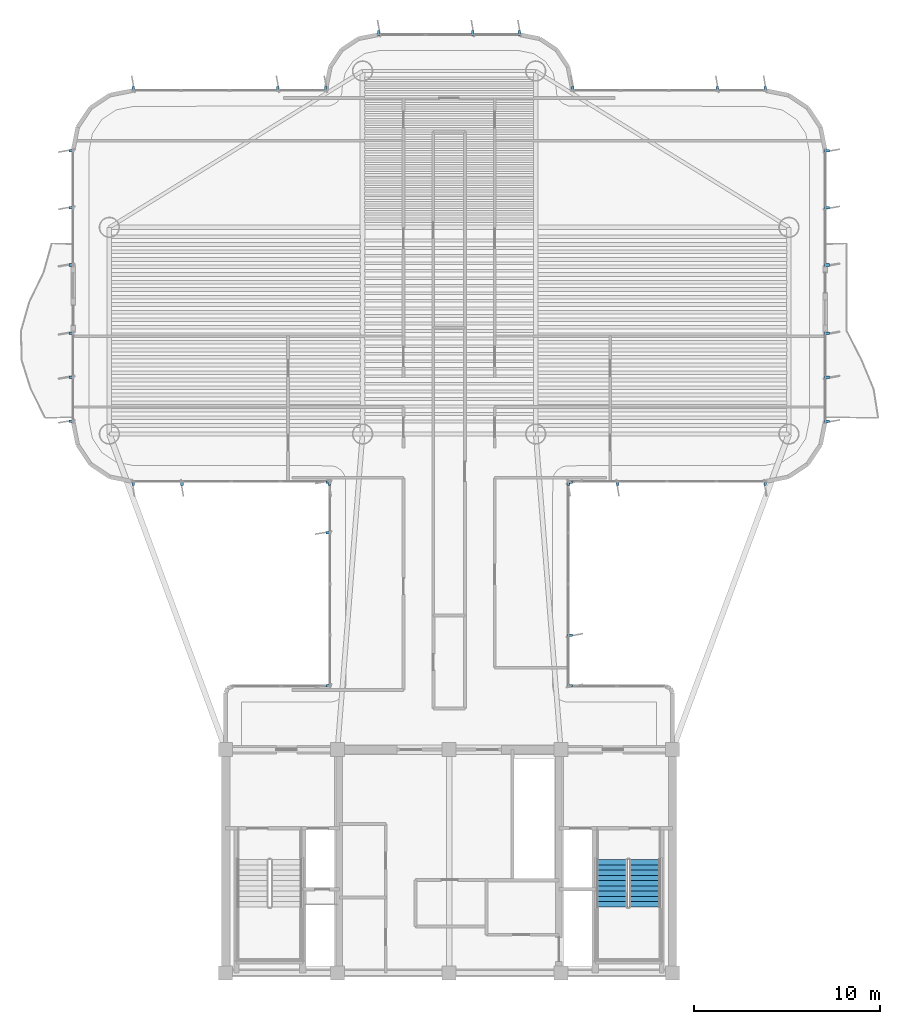
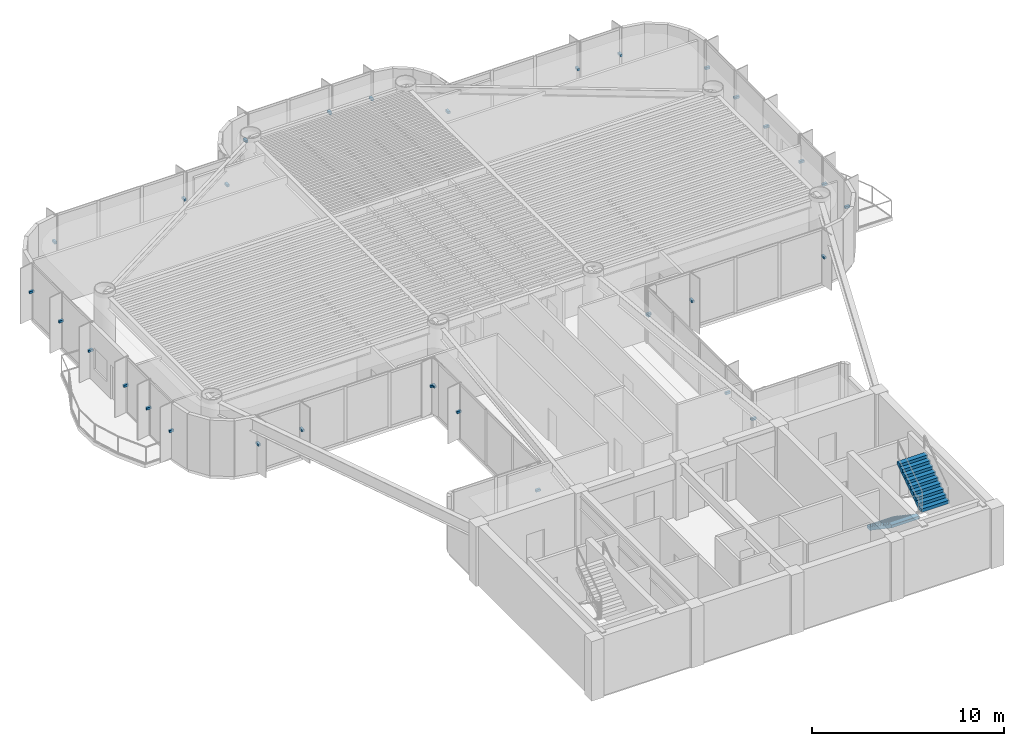
# One storey, part 12 of 14: 33 discrete accessories, 2 stair flights, 1 element without a shape of its own.
"""IFC4 building model written with IfcOpenShell, lengths in metres."""

from ifc_helpers import new_model, si_unit, direction, frame, origin, origin_2d, place, context, subcontext, project, spatial, polyline, rectangle, outline, extrude, source, transform, mapped, material, type_object, element, aggregate, save


model = new_model("IFC4")

# Units and contexts
model_context = context("Model", 3, precision=1e-05, world=origin(), true_north=direction((0.0, 1.0)))
body_context = subcontext(model_context, "Body", "Model", "MODEL_VIEW")
ifc_project = project(units=[si_unit("LENGTHUNIT", "METRE"), si_unit("AREAUNIT", "SQUARE_METRE"), si_unit("VOLUMEUNIT", "CUBIC_METRE"), si_unit("PLANEANGLEUNIT", "RADIAN"), si_unit("MASSUNIT", "GRAM", prefix="KILO")], contexts=[model_context])

# Site, building, storey
site_placement = place(None, origin())
site = spatial("IfcSite", under=ifc_project, at=site_placement, CompositionType="ELEMENT")
building_placement = place(site_placement, origin())
building = spatial("IfcBuilding", under=site, at=building_placement, Name="Brelvock Crest Care Tower", CompositionType="ELEMENT")
storey_placement = place(building_placement, frame((0.0, 0.0, 182.8798828125)))
storey = spatial("IfcBuildingStorey", under=building, at=storey_placement, Name="L46", CompositionType="ELEMENT", Elevation=182.8798828125)

# Stair, stair flights
ifc_material_1 = material(Name="Concrete N40 (40 MPa)", Category="concrete")
stair_type = type_object("IfcStairType", Name="ST-CORE1", PredefinedType="HALF_TURN_STAIR", material=ifc_material_1)
stair_placement = place(storey_placement, origin())
stair = element("IfcStair", 1, at=stair_placement, inside=storey, type_object=stair_type, Name="L46 Fire-Isolated Core Stair ST-2", PredefinedType="HALF_TURN_STAIR")
stair_flight_type = type_object("IfcStairFlightType", Name="STF-1", PredefinedType="STRAIGHT", material=ifc_material_1)
stair_flight_1_placement = place(storey_placement, frame((44.72998046875, 12.080078125, 0.0), z_axis=(0.0, 0.0, 1.0), x_axis=(0.0, -1.0, 0.0)))
stair_flight_1 = element("IfcStairFlight", 2, at=stair_flight_1_placement, type_object=stair_flight_type, Name="ST-2 flight 1", NumberOfRisers=10, NumberOfTreads=9, PredefinedType="STRAIGHT", RiserHeight=0.189, TreadLength=0.28, context=body_context, shape_type="SweptSolid", body=[
    extrude(outline(polyline([(-0.00390625, -0.014892578125), (-0.00390625, -0.0078125), (-0.00390625, -0.00048828125), (-0.00390625, 0.0068359375), (-0.00390625, 0.01416015625), (-0.00390625, 0.021484375), (-0.00390625, 0.02880859375), (-0.00390625, 0.035888671875), (-0.00390625, 0.043212890625), (-0.00390625, 0.050537109375), (-0.00390625, 0.057861328125), (-0.00390625, 0.065185546875), (-0.00390625, 0.072509765625), (-0.00390625, 0.07958984375), (-0.00390625, 0.0869140625), (-0.00390625, 0.09423828125), (-0.00390625, 0.1015625), (-0.00390625, 0.10888671875), (-0.00390625, 0.1162109375), (-0.00390625, 0.12353515625), (-0.00390625, 0.130615234375), (-0.00390625, 0.137939453125), (-0.00390625, 0.145263671875), (-0.00390625, 0.152587890625), (-0.00390625, 0.159912109375), (-0.00390625, 0.167236328125), (-0.00390625, 0.17431640625), (-0.00390625, 0.181640625), (-0.00390625, 0.18896484375), (0.0, 0.18896484375), (0.280029296875, 0.18896484375), (0.280029296875, 0.3779296875), (0.56005859375, 0.3779296875), (0.56005859375, 0.56689453125), (0.840087890625, 0.56689453125), (0.840087890625, 0.756103515625), (1.1201171875, 0.756103515625), (1.1201171875, 0.945068359375), (1.39990234375, 0.945068359375), (1.39990234375, 1.134033203125), (1.679931640625, 1.134033203125), (1.679931640625, 1.322998046875), (1.9599609375, 1.322998046875), (1.9599609375, 1.511962890625), (2.239990234375, 1.511962890625), (2.239990234375, 1.700927734375), (2.52001953125, 1.700927734375), (2.52392578125, 1.700927734375), (2.523681640625, 1.70068359375), (2.52392578125, 1.700439453125), (2.523681640625, 1.699951171875), (2.52392578125, 1.69970703125), (2.523681640625, 1.699462890625), (2.52392578125, 1.698974609375), (2.523681640625, 1.69873046875), (2.52392578125, 1.698486328125), (2.523681640625, 1.697998046875), (2.52392578125, 1.69775390625), (2.523681640625, 1.697509765625), (2.52392578125, 1.697021484375), (2.523681640625, 1.69677734375), (2.52392578125, 1.696533203125), (2.523681640625, 1.6962890625), (2.52392578125, 1.69580078125), (2.523681640625, 1.695556640625), (2.52392578125, 1.6953125), (2.523681640625, 1.69482421875), (2.52392578125, 1.694580078125), (2.523681640625, 1.6943359375), (2.52392578125, 1.69384765625), (2.523681640625, 1.693603515625), (2.52392578125, 1.693359375), (2.523681640625, 1.69287109375), (2.52392578125, 1.692626953125), (2.523681640625, 1.6923828125), (2.52392578125, 1.69189453125), (2.52001953125, 1.520263671875), (0.267822265625, 0.0), (0.0, 0.0), (0.0, -0.014892578125), (-0.00390625, -0.014892578125)])), frame((0.0, 0.83984375, 0.0), z_axis=(0.0, -1.0, 0.0), x_axis=(1.0, 0.0, 0.0)), (0.0, 0.0, 1.0), 1.679931640625),
])
stair_flight_2_placement = place(storey_placement, frame((46.530029296875, 9.56005859375, 1.89013671875), z_axis=(0.0, 0.0, 1.0), x_axis=(0.0, 1.0, 0.0)))
stair_flight_2 = element("IfcStairFlight", 3, at=stair_flight_2_placement, type_object=stair_flight_type, Name="ST-2 flight 2", NumberOfRisers=10, NumberOfTreads=9, PredefinedType="STRAIGHT", RiserHeight=0.189, TreadLength=0.28, context=body_context, shape_type="SweptSolid", body=[
    extrude(outline(polyline([(-0.00390625, -0.014892578125), (-0.00390625, -0.0078125), (-0.00390625, -0.00048828125), (-0.00390625, 0.0068359375), (-0.00390625, 0.01416015625), (-0.00390625, 0.021484375), (-0.00390625, 0.02880859375), (-0.00390625, 0.035888671875), (-0.00390625, 0.043212890625), (-0.00390625, 0.050537109375), (-0.00390625, 0.057861328125), (-0.00390625, 0.065185546875), (-0.00390625, 0.072509765625), (-0.00390625, 0.07958984375), (-0.00390625, 0.0869140625), (-0.00390625, 0.09423828125), (-0.00390625, 0.1015625), (-0.00390625, 0.10888671875), (-0.00390625, 0.1162109375), (-0.00390625, 0.12353515625), (-0.00390625, 0.130615234375), (-0.00390625, 0.137939453125), (-0.00390625, 0.145263671875), (-0.00390625, 0.152587890625), (-0.00390625, 0.159912109375), (-0.00390625, 0.167236328125), (-0.00390625, 0.17431640625), (-0.00390625, 0.181640625), (-0.00390625, 0.18896484375), (0.0, 0.18896484375), (0.280029296875, 0.18896484375), (0.280029296875, 0.3779296875), (0.56005859375, 0.3779296875), (0.56005859375, 0.56689453125), (0.840087890625, 0.56689453125), (0.840087890625, 0.756103515625), (1.1201171875, 0.756103515625), (1.1201171875, 0.945068359375), (1.39990234375, 0.945068359375), (1.39990234375, 1.134033203125), (1.679931640625, 1.134033203125), (1.679931640625, 1.322998046875), (1.9599609375, 1.322998046875), (1.9599609375, 1.511962890625), (2.239990234375, 1.511962890625), (2.239990234375, 1.700927734375), (2.52001953125, 1.700927734375), (2.52392578125, 1.700927734375), (2.523681640625, 1.70068359375), (2.52392578125, 1.700439453125), (2.523681640625, 1.699951171875), (2.52392578125, 1.69970703125), (2.523681640625, 1.699462890625), (2.52392578125, 1.698974609375), (2.523681640625, 1.69873046875), (2.52392578125, 1.698486328125), (2.523681640625, 1.697998046875), (2.52392578125, 1.69775390625), (2.523681640625, 1.697509765625), (2.52392578125, 1.697021484375), (2.523681640625, 1.69677734375), (2.52392578125, 1.696533203125), (2.523681640625, 1.6962890625), (2.52392578125, 1.69580078125), (2.523681640625, 1.695556640625), (2.52392578125, 1.6953125), (2.523681640625, 1.69482421875), (2.52392578125, 1.694580078125), (2.523681640625, 1.6943359375), (2.52392578125, 1.69384765625), (2.523681640625, 1.693603515625), (2.52392578125, 1.693359375), (2.523681640625, 1.69287109375), (2.52392578125, 1.692626953125), (2.523681640625, 1.6923828125), (2.52392578125, 1.69189453125), (2.52001953125, 1.520263671875), (0.267822265625, 0.0), (0.0, 0.0), (0.0, -0.014892578125), (-0.00390625, -0.014892578125)])), frame((0.0, 0.83984375, 0.0), z_axis=(0.0, -1.0, 0.0), x_axis=(1.0, 0.0, 0.0)), (0.0, 0.0, 1.0), 1.679931640625),
])
aggregate(stair, [stair_flight_1, stair_flight_2])

# Discrete accessories
ifc_material_2 = material(Name="Steel Grade 350", Category="steel")
discrete_accessory_type = type_object("IfcDiscreteAccessoryType", Name="ACC-BRK1", PredefinedType="BRACKET", material=ifc_material_2)
shared_shape = source(origin(), body_context, "Body", "SweptSolid", [
    extrude(rectangle(XDim=0.280029296875, YDim=0.139892578125, at=origin_2d()), origin(), (0.0, 0.0, 1.0), 0.139892578125),
])
for number, where, z_axis, x_axis, name in (
    (4, (29.52001953125, 21.429931640625, 1.6953125), (0.0, 0.0, 1.0), (-1.0, 0.0, 0.0), "L46 Facade Fin Bracket E11-01"),
    (5, (29.52001953125, 29.64990234375, 1.6953125), (0.0, 0.0, 1.0), (-1.0, 0.0, 0.0), "L46 Facade Fin Bracket E11-04"),
    (6, (29.52001953125, 32.3701171875, 1.6953125), (0.0, 0.0, 1.0), (-1.0, 0.0, 0.0), "L46 Facade Fin Bracket E11-05"),
    (7, (29.570068359375, 32.320068359375, 1.6953125), (0.0, 0.0, 1.0), (0.0, -1.0, 0.0), "L46 Facade Fin Bracket E12-01"),
    (8, (21.64990234375, 32.320068359375, 1.6953125), (0.0, 0.0, 1.0), (0.0, -1.0, 0.0), "L46 Facade Fin Bracket E12-04"),
    (9, (19.030029296875, 32.320068359375, 1.6953125), (0.0, 0.0, 1.0), (0.0, -1.0, 0.0), "L46 Facade Fin Bracket E12-05"),
    (10, (15.719970703125, 35.6298828125, 1.6953125), (0.0, 0.0, 1.0), (-1.0, 0.0, 0.0), "L46 Facade Fin Bracket E17A-01"),
    (11, (15.719970703125, 38.0, 1.6953125), (0.0, 0.0, 1.0), (-1.0, 0.0, 0.0), "L46 Facade Fin Bracket E17A-02"),
    (12, (15.719970703125, 40.3701171875, 1.6953125), (0.0, 0.0, 1.0), (-1.0, 0.0, 0.0), "L46 Facade Fin Bracket E17A-03"),
    (13, (15.719970703125, 44.030029296875, 1.6953125), (0.0, 0.0, 1.0), (-1.0, 0.0, 0.0), "L46 Facade Fin Bracket E17B-01"),
    (14, (15.719970703125, 47.10009765625, 1.6953125), (0.0, 0.0, 1.0), (-1.0, 0.0, 0.0), "L46 Facade Fin Bracket E17B-02"),
    (15, (15.719970703125, 50.169921875, 1.6953125), (0.0, 0.0, 1.0), (-1.0, 0.0, 0.0), "L46 Facade Fin Bracket E17B-03"),
    (16, (19.030029296875, 53.47998046875, 1.6953125), (0.0, 0.0, 1.0), (0.0, 1.0, 0.0), "L46 Facade Fin Bracket E22-01"),
    (17, (26.800048828125, 53.47998046875, 1.6953125), (0.0, 0.0, 1.0), (0.0, 1.0, 0.0), "L46 Facade Fin Bracket E22-04"),
    (18, (29.3701171875, 53.47998046875, 1.6953125), (0.0, 0.0, 1.0), (0.0, 1.0, 0.0), "L46 Facade Fin Bracket E22-05"),
    (19, (32.22998046875, 56.47998046875, 1.6953125), (0.0, 0.0, 1.0), (0.0, 1.0, 0.0), "L46 Facade Fin Bracket E28-01"),
    (20, (37.2666015625, 56.47998046875, 1.6953125), (0.0, 0.0, 1.0), (0.0, 1.0, 0.0), "L46 Facade Fin Bracket E28-03"),
    (21, (39.77001953125, 56.47998046875, 1.6953125), (0.0, 0.0, 1.0), (0.0, 1.0, 0.0), "L46 Facade Fin Bracket E28-04"),
    (22, (42.6298828125, 53.47998046875, 1.6953125), (0.0, 0.0, 1.0), (0.0, 1.0, 0.0), "L46 Facade Fin Bracket E34-01"),
    (23, (50.39990234375, 53.47998046875, 1.6953125), (0.0, 0.0, 1.0), (0.0, 1.0, 0.0), "L46 Facade Fin Bracket E34-04"),
    (24, (52.969970703125, 53.47998046875, 1.6953125), (0.0, 0.0, 1.0), (0.0, 1.0, 0.0), "L46 Facade Fin Bracket E34-05"),
    (25, (56.280029296875, 50.169921875, 1.6953125), (0.0, 0.0, 1.0), (1.0, 0.0, 0.0), "L46 Facade Fin Bracket E39A-01"),
    (26, (56.280029296875, 47.10009765625, 1.6953125), (0.0, 0.0, 1.0), (1.0, 0.0, 0.0), "L46 Facade Fin Bracket E39A-02"),
    (27, (56.280029296875, 44.030029296875, 1.6953125), (0.0, 0.0, 1.0), (1.0, 0.0, 0.0), "L46 Facade Fin Bracket E39A-03"),
    (28, (56.280029296875, 40.3701171875, 1.6953125), (0.0, 0.0, 1.0), (1.0, 0.0, 0.0), "L46 Facade Fin Bracket E39B-01"),
    (29, (56.280029296875, 38.0, 1.6953125), (0.0, 0.0, 1.0), (1.0, 0.0, 0.0), "L46 Facade Fin Bracket E39B-02"),
    (30, (56.280029296875, 35.6298828125, 1.6953125), (0.0, 0.0, 1.0), (1.0, 0.0, 0.0), "L46 Facade Fin Bracket E39B-03"),
    (31, (52.969970703125, 32.320068359375, 1.6953125), (0.0, 0.0, 1.0), (0.0, -1.0, 0.0), "L46 Facade Fin Bracket E44-01"),
    (32, (45.050048828125, 32.320068359375, 1.6953125), (0.0, 0.0, 1.0), (0.0, -1.0, 0.0), "L46 Facade Fin Bracket E44-04"),
    (33, (42.429931640625, 32.320068359375, 1.6953125), (0.0, 0.0, 1.0), (0.0, -1.0, 0.0), "L46 Facade Fin Bracket E44-05"),
    (34, (42.47998046875, 32.3701171875, 1.6953125), (0.0, 0.0, 1.0), (1.0, 0.0, 0.0), "L46 Facade Fin Bracket E45-01"),
    (35, (42.47998046875, 24.14990234375, 1.6953125), (0.0, 0.0, 1.0), (1.0, 0.0, 0.0), "L46 Facade Fin Bracket E45-04"),
    (36, (42.47998046875, 21.429931640625, 1.6953125), (0.0, 0.0, 1.0), (1.0, 0.0, 0.0), "L46 Facade Fin Bracket E45-05"),
):
    element("IfcDiscreteAccessory", number, at=place(storey_placement, frame(where, z_axis=z_axis, x_axis=x_axis)), inside=storey, type_object=discrete_accessory_type, Name=name, PredefinedType="BRACKET", context=body_context, shape_type="MappedRepresentation", body=[
        mapped(shared_shape, transform((0.0, 0.0, 0.0), x_axis=(1.0, 0.0, 0.0), y_axis=(0.0, 1.0, 0.0), z_axis=(0.0, 0.0, 1.0), scale=1.0)),
    ])

save(model, "model.ifc")
